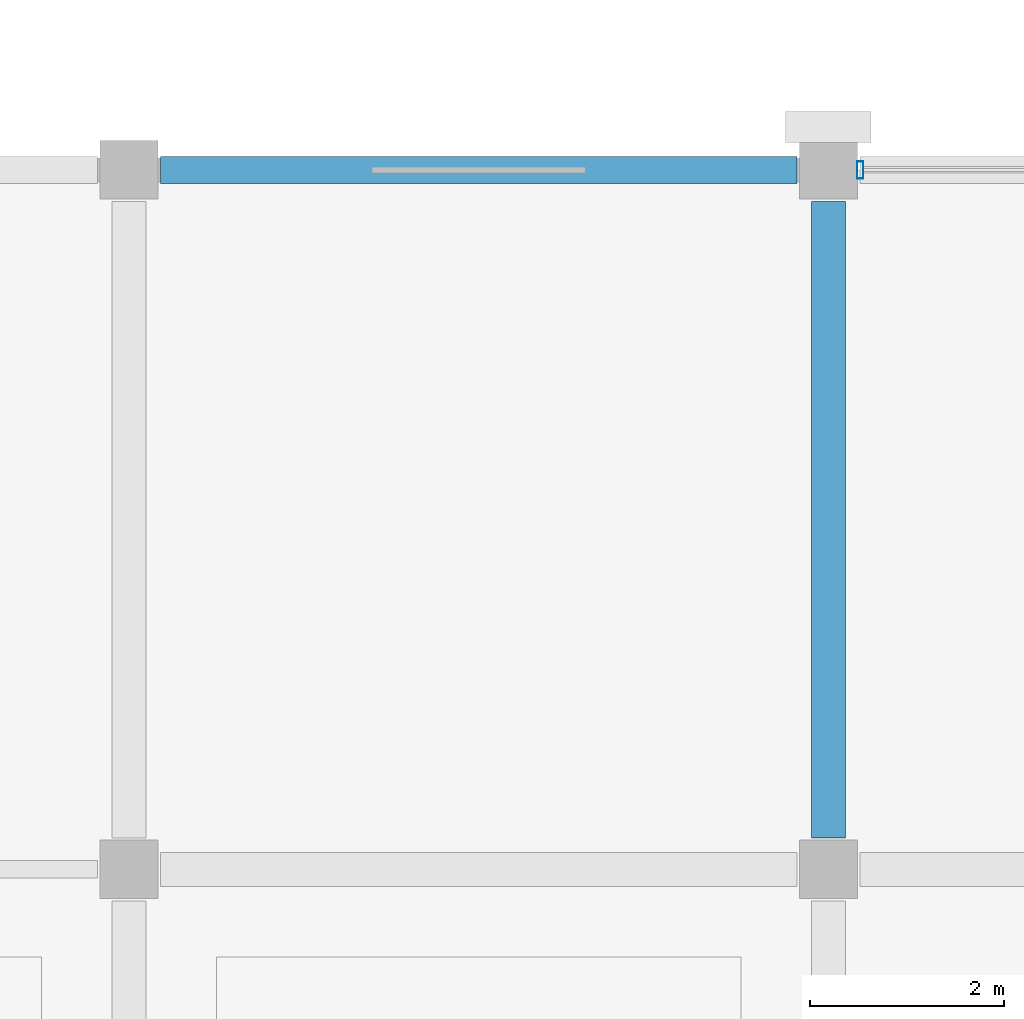
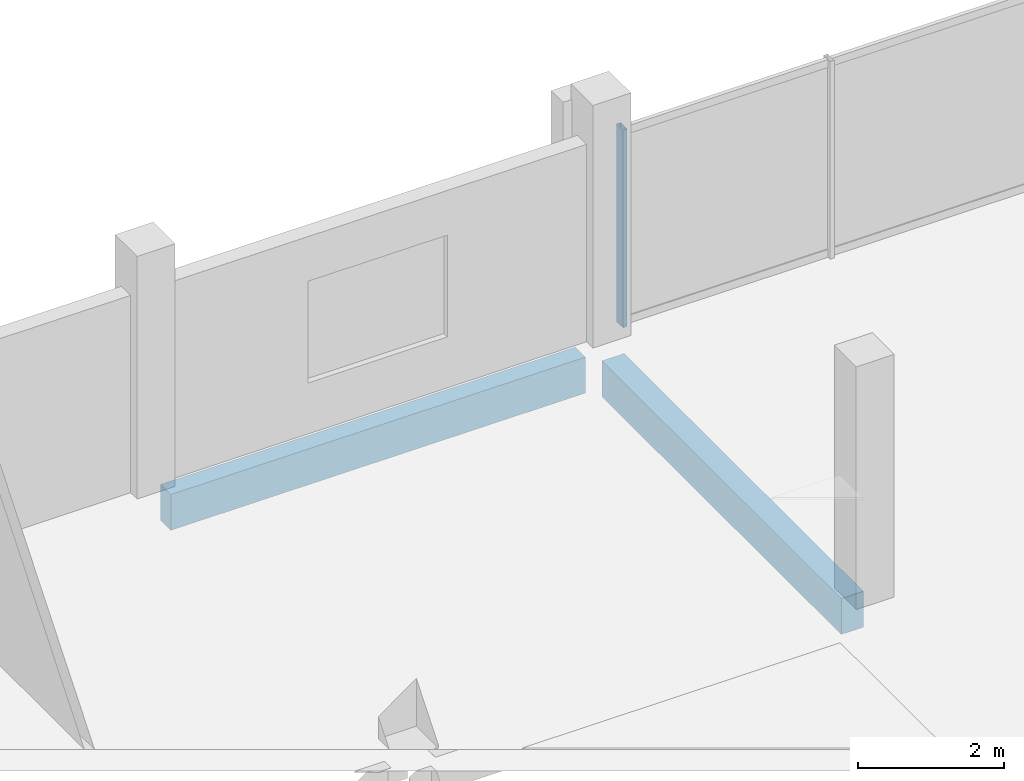
# One storey, part 45 of 77: 2 beams, 1 member, 1 element without a shape of its own.
"""IFC4 building model written with IfcOpenShell, lengths in metres."""

from ifc_helpers import new_model, si_unit, direction, frame, origin, origin_2d, place, context, subcontext, project, spatial, rectangle, hollow_rectangle, extrude, material, layer, layer_set, material_profile, profile_set, type_object, element, aggregate, save


model = new_model("IFC4")

# Units and contexts
model_context = context("Model", 3, precision=1e-05, world=origin(), true_north=direction((0.0, 1.0)))
body_context = subcontext(model_context, "Body", "Model", "MODEL_VIEW")
ifc_project = project(units=[si_unit("LENGTHUNIT", "METRE"), si_unit("AREAUNIT", "SQUARE_METRE"), si_unit("VOLUMEUNIT", "CUBIC_METRE"), si_unit("PLANEANGLEUNIT", "RADIAN"), si_unit("MASSUNIT", "GRAM", prefix="KILO")], contexts=[model_context])

# Site, building, storey
site_placement = place(None, origin())
site = spatial("IfcSite", under=ifc_project, at=site_placement, CompositionType="ELEMENT")
building_placement = place(site_placement, origin())
building = spatial("IfcBuilding", under=site, at=building_placement, Name="Kangsadwip Square Police Headquarters", CompositionType="ELEMENT")
storey_placement = place(building_placement, frame((0.0, 0.0, 17.550048828125)))
storey = spatial("IfcBuildingStorey", under=building, at=storey_placement, Name="L04", CompositionType="ELEMENT", Elevation=17.550048828125)

# Curtain wall, member
ifc_material_1 = material(Name="Thermally broken anodised aluminium AW-6063-T6", Category="aluminium")
ifc_layer = layer(ifc_material_1, 0.159912109375)
ifc_layer_set = layer_set([ifc_layer], Name="Thermally broken anodised aluminium AW-6063-T6")
curtain_wall_type = type_object("IfcCurtainWallType", Name="UnitisedCw6610x3300", PredefinedType="NOTDEFINED", material=ifc_layer_set)
curtain_wall_placement = place(storey_placement, origin())
curtain_wall = element("IfcCurtainWall", 1, at=curtain_wall_placement, inside=storey, type_object=curtain_wall_type, Name="Curtain Wall CW-L04-1587-1152", PredefinedType="NOTDEFINED")
ifc_material_2 = material(Name="Thermally broken anodised aluminium AW-6063-T6", Category="aluminium")
ifc_material_profile_1 = material_profile(ifc_material_2, hollow_rectangle(XDim=0.06494140625, YDim=0.179931640625, WallThickness=0.00390625, at=origin_2d()), Name="CWM 180X65X4")
ifc_profile_set_1 = profile_set([ifc_material_profile_1], Name="Thermally broken anodised aluminium AW-6063-T6")
member_type = type_object("IfcMemberType", Name="CwMullion160x65", PredefinedType="MULLION", material=ifc_profile_set_1)
member_placement = place(storey_placement, frame((158.7275390625, 115.199951171875, 0.0), z_axis=(0.0, 0.0, 1.0), x_axis=(1.0, 0.0, 0.0)))
member = element("IfcMember", 2, at=member_placement, type_object=member_type, Name="CW-44 mullion 1", PredefinedType="MULLION", context=body_context, shape_type="SweptSolid", body=[
    extrude(hollow_rectangle(XDim=0.06494140625, YDim=0.179931640625, WallThickness=0.00390625, at=origin_2d()), origin(), (0.0, 0.0, 1.0), 3.300048828125),
])
aggregate(curtain_wall, [member])

# Beams
ifc_material_3 = material(Name="Concrete M35 (35 MPa)", Category="concrete")
ifc_material_profile_2 = material_profile(ifc_material_3, rectangle(XDim=0.35009765625, YDim=0.60009765625, at=origin_2d()), Name="RC BM 600X350")
ifc_profile_set_2 = profile_set([ifc_material_profile_2], Name="Concrete M35 (35 MPa)")
beam_type_1 = type_object("IfcBeamType", Name="RcBeam600x350", PredefinedType="BEAM", material=ifc_profile_set_2)
beam_1_placement = place(storey_placement, frame((158.39990234375, 108.324951171875, -0.5400390625), z_axis=(0.0, 1.0, 0.0), x_axis=(-1.0, 0.0, 0.0)))
element("IfcBeam", 3, at=beam_1_placement, inside=storey, type_object=beam_type_1, Name="Beam BM-L04-Y-22-15", PredefinedType="BEAM", context=body_context, shape_type="SweptSolid", body=[
    extrude(rectangle(XDim=0.35009765625, YDim=0.60009765625, at=origin_2d()), origin(), (0.0, 0.0, 1.0), 6.550048828125),
])
ifc_material_4 = material(Name="Concrete M40 (40 MPa)", Category="concrete")
ifc_material_profile_3 = material_profile(ifc_material_4, rectangle(XDim=0.280029296875, YDim=0.60009765625, at=origin_2d()), Name="RC SPN 600X280")
ifc_profile_set_3 = profile_set([ifc_material_profile_3], Name="Concrete M40 (40 MPa)")
beam_type_2 = type_object("IfcBeamType", Name="RcSpandrel600x280", PredefinedType="SPANDREL", material=ifc_profile_set_3)
beam_2_placement = place(storey_placement, frame((151.52490234375, 115.199951171875, -0.5400390625), z_axis=(1.0, 0.0, 0.0), x_axis=(0.0, 1.0, 0.0)))
element("IfcBeam", 4, at=beam_2_placement, inside=storey, type_object=beam_type_2, Name="Beam BM-L04-X-21-16", PredefinedType="SPANDREL", context=body_context, shape_type="SweptSolid", body=[
    extrude(rectangle(XDim=0.280029296875, YDim=0.60009765625, at=origin_2d()), origin(), (0.0, 0.0, 1.0), 6.550048828125),
])

save(model, "model.ifc")
